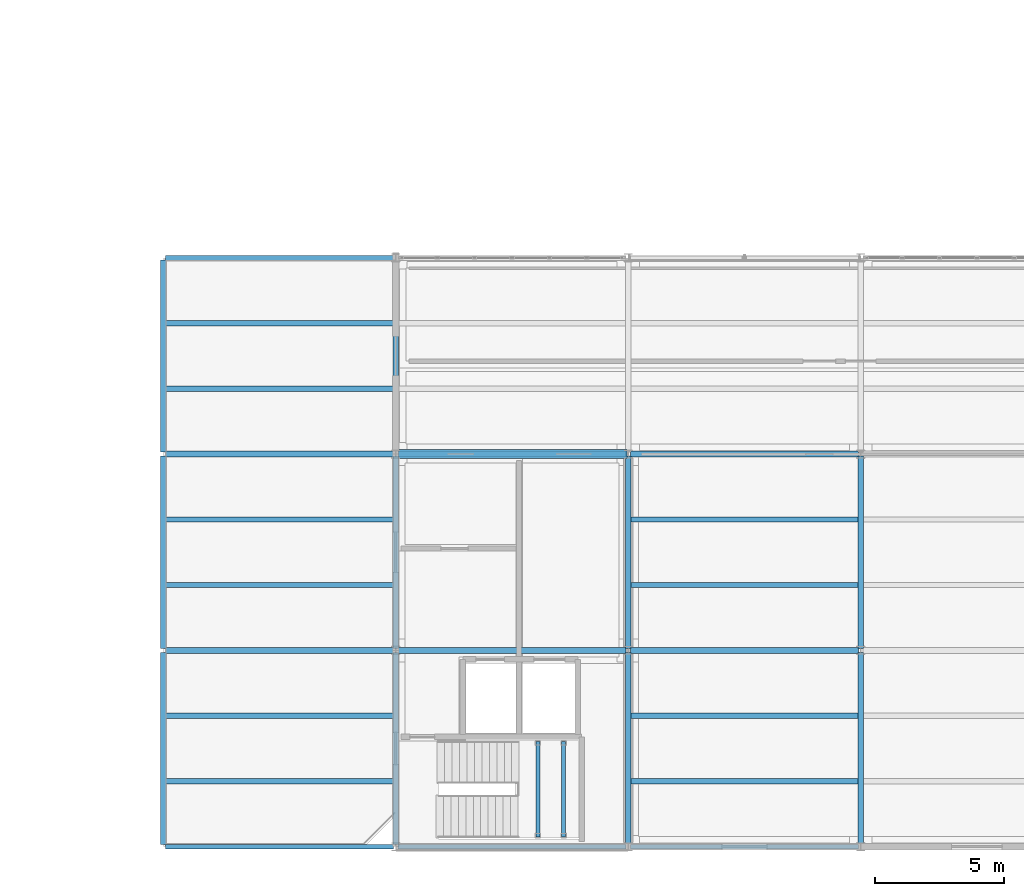
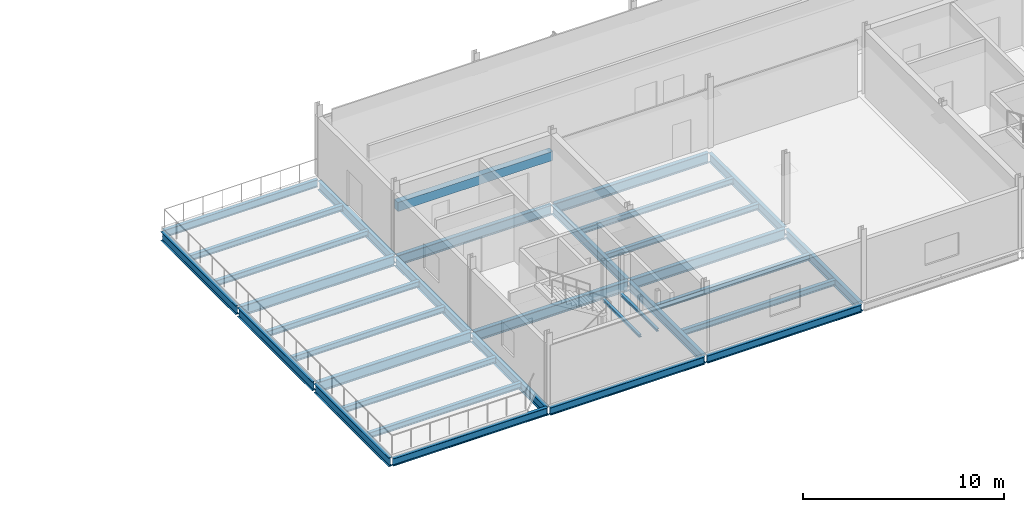
# One storey, part 6 of 48: 33 beams.
"""IFC4 building model written with IfcOpenShell, lengths in metres."""

from ifc_helpers import new_model, si_unit, direction, frame, origin, origin_2d, place, context, subcontext, project, spatial, rectangle, i_section, extrude, material, material_profile, profile_set, type_object, element, save


model = new_model("IFC4")

# Units and contexts
model_context = context("Model", 3, precision=1e-05, world=origin(), true_north=direction((0.0, 1.0)))
body_context = subcontext(model_context, "Body", "Model", "MODEL_VIEW")
ifc_project = project(units=[si_unit("LENGTHUNIT", "METRE"), si_unit("AREAUNIT", "SQUARE_METRE"), si_unit("VOLUMEUNIT", "CUBIC_METRE"), si_unit("PLANEANGLEUNIT", "RADIAN"), si_unit("MASSUNIT", "GRAM", prefix="KILO")], contexts=[model_context])

# Site, building, storey
site_placement = place(None, origin())
site = spatial("IfcSite", under=ifc_project, at=site_placement, CompositionType="ELEMENT")
building_placement = place(site_placement, origin())
building = spatial("IfcBuilding", under=site, at=building_placement, Name="Caisbarro Railhouse Central Library", CompositionType="ELEMENT")
storey_placement = place(building_placement, frame((0.0, 0.0, 18.0)))
storey = spatial("IfcBuildingStorey", under=building, at=storey_placement, Name="L04", CompositionType="ELEMENT", Elevation=18.0)

# Beams
ifc_material_1 = material(Name="Steel ASTM A572 Grade 50", Category="steel")
ifc_material_profile_1 = material_profile(ifc_material_1, i_section(OverallWidth=0.22998046875, OverallDepth=0.616943359375, WebThickness=0.01318359375, FlangeThickness=0.022216796875, FilletRadius=0.02197265625, at=origin_2d()), Name="W610X140.0")
ifc_profile_set_1 = profile_set([ifc_material_profile_1], Name="Steel ASTM A572 Grade 50")
beam_type_1 = type_object("IfcBeamType", Name="BM-G03", PredefinedType="BEAM", material=ifc_profile_set_1)
for number, where, z_axis, x_axis, name in (
    (1, (63.080078125, 7.60009765625, -0.58837890625), (1.0, 0.0, 0.0), (0.0, 1.0, 0.0), "G03 beam L04 #2020"),
    (2, (72.080078125, 7.60009765625, -0.58837890625), (1.0, 0.0, 0.0), (0.0, 1.0, 0.0), "G03 beam L04 #2021"),
    (3, (63.080078125, 15.199951171875, -0.58837890625), (1.0, 0.0, 0.0), (0.0, 1.0, 0.0), "G03 beam L04 #2025"),
    (4, (72.080078125, 15.199951171875, -0.58837890625), (1.0, 0.0, 0.0), (0.0, 1.0, 0.0), "G03 beam L04 #2026"),
    (5, (54.080078125, 7.60009765625, -0.5185546875), (1.0, 0.0, 0.0), (0.0, 1.0, 0.0), "G03 beam L04 #2162"),
    (6, (54.080078125, 15.199951171875, -0.5185546875), (1.0, 0.0, 0.0), (0.0, 1.0, 0.0), "G03 beam L04 #2163"),
):
    element("IfcBeam", number, at=place(storey_placement, frame(where, z_axis=z_axis, x_axis=x_axis)), inside=storey, type_object=beam_type_1, Name=name, PredefinedType="BEAM", context=body_context, shape_type="SweptSolid", body=[
        extrude(i_section(OverallWidth=0.22998046875, OverallDepth=0.616943359375, WebThickness=0.01318359375, FlangeThickness=0.022216796875, FilletRadius=0.02197265625, at=origin_2d()), origin(), (0.0, 0.0, 1.0), 8.83984375),
    ])
ifc_material_profile_2 = material_profile(ifc_material_1, i_section(OverallWidth=0.2119140625, OverallDepth=0.5439453125, WebThickness=0.01318359375, FlangeThickness=0.021240234375, FilletRadius=0.02001953125, at=origin_2d()), Name="W530X123.0")
ifc_profile_set_2 = profile_set([ifc_material_profile_2], Name="Steel ASTM A572 Grade 50")
beam_type_2 = type_object("IfcBeamType", Name="BM-G05", PredefinedType="BEAM", material=ifc_profile_set_2)
beam_1_placement = place(storey_placement, frame((63.0, 0.080078125, -0.552001953125), z_axis=(0.0, 1.0, 0.0), x_axis=(-1.0, 0.0, 0.0)))
element("IfcBeam", 7, at=beam_1_placement, inside=storey, type_object=beam_type_2, Name="G05 beam L04 #2035", PredefinedType="BEAM", context=body_context, shape_type="SweptSolid", body=[
    extrude(i_section(OverallWidth=0.2119140625, OverallDepth=0.5439453125, WebThickness=0.01318359375, FlangeThickness=0.021240234375, FilletRadius=0.02001953125, at=origin_2d()), origin(), (0.0, 0.0, 1.0), 7.43994140625),
])
beam_2_placement = place(storey_placement, frame((63.0, 7.679931640625, -0.552001953125), z_axis=(0.0, 1.0, 0.0), x_axis=(-1.0, 0.0, 0.0)))
element("IfcBeam", 8, at=beam_2_placement, inside=storey, type_object=beam_type_2, Name="G05 beam L04 #2036", PredefinedType="BEAM", context=body_context, shape_type="SweptSolid", body=[
    extrude(i_section(OverallWidth=0.2119140625, OverallDepth=0.5439453125, WebThickness=0.01318359375, FlangeThickness=0.021240234375, FilletRadius=0.02001953125, at=origin_2d()), origin(), (0.0, 0.0, 1.0), 7.440185546875),
])
for number, where, z_axis, x_axis, name in (
    (9, (63.0, 15.280029296875, -0.552001953125), (0.0, 1.0, 0.0), (-1.0, 0.0, 0.0), "G05 beam L04 #2037"),
    (10, (72.0, 0.080078125, -0.552001953125), (0.0, 1.0, 0.0), (-1.0, 0.0, 0.0), "G05 beam L04 #2038"),
):
    element("IfcBeam", number, at=place(storey_placement, frame(where, z_axis=z_axis, x_axis=x_axis)), inside=storey, type_object=beam_type_2, Name=name, PredefinedType="BEAM", context=body_context, shape_type="SweptSolid", body=[
        extrude(i_section(OverallWidth=0.2119140625, OverallDepth=0.5439453125, WebThickness=0.01318359375, FlangeThickness=0.021240234375, FilletRadius=0.02001953125, at=origin_2d()), origin(), (0.0, 0.0, 1.0), 7.43994140625),
    ])
beam_3_placement = place(storey_placement, frame((72.0, 7.679931640625, -0.552001953125), z_axis=(0.0, 1.0, 0.0), x_axis=(-1.0, 0.0, 0.0)))
element("IfcBeam", 11, at=beam_3_placement, inside=storey, type_object=beam_type_2, Name="G05 beam L04 #2039", PredefinedType="BEAM", context=body_context, shape_type="SweptSolid", body=[
    extrude(i_section(OverallWidth=0.2119140625, OverallDepth=0.5439453125, WebThickness=0.01318359375, FlangeThickness=0.021240234375, FilletRadius=0.02001953125, at=origin_2d()), origin(), (0.0, 0.0, 1.0), 7.440185546875),
])
beam_4_placement = place(storey_placement, frame((81.0, 0.080078125, -0.552001953125), z_axis=(0.0, 1.0, 0.0), x_axis=(-1.0, 0.0, 0.0)))
element("IfcBeam", 12, at=beam_4_placement, inside=storey, type_object=beam_type_2, Name="G05 beam L04 #2041", PredefinedType="BEAM", context=body_context, shape_type="SweptSolid", body=[
    extrude(i_section(OverallWidth=0.2119140625, OverallDepth=0.5439453125, WebThickness=0.01318359375, FlangeThickness=0.021240234375, FilletRadius=0.02001953125, at=origin_2d()), origin(), (0.0, 0.0, 1.0), 7.43994140625),
])
beam_5_placement = place(storey_placement, frame((81.0, 7.679931640625, -0.552001953125), z_axis=(0.0, 1.0, 0.0), x_axis=(-1.0, 0.0, 0.0)))
element("IfcBeam", 13, at=beam_5_placement, inside=storey, type_object=beam_type_2, Name="G05 beam L04 #2042", PredefinedType="BEAM", context=body_context, shape_type="SweptSolid", body=[
    extrude(i_section(OverallWidth=0.2119140625, OverallDepth=0.5439453125, WebThickness=0.01318359375, FlangeThickness=0.021240234375, FilletRadius=0.02001953125, at=origin_2d()), origin(), (0.0, 0.0, 1.0), 7.440185546875),
])
beam_6_placement = place(storey_placement, frame((54.0, 0.080078125, -0.48193359375), z_axis=(0.0, 1.0, 0.0), x_axis=(-1.0, 0.0, 0.0)))
element("IfcBeam", 14, at=beam_6_placement, inside=storey, type_object=beam_type_2, Name="G05 beam L04 #2165", PredefinedType="BEAM", context=body_context, shape_type="SweptSolid", body=[
    extrude(i_section(OverallWidth=0.2119140625, OverallDepth=0.5439453125, WebThickness=0.01318359375, FlangeThickness=0.021240234375, FilletRadius=0.02001953125, at=origin_2d()), origin(), (0.0, 0.0, 1.0), 7.43994140625),
])
beam_7_placement = place(storey_placement, frame((54.0, 7.679931640625, -0.48193359375), z_axis=(0.0, 1.0, 0.0), x_axis=(-1.0, 0.0, 0.0)))
element("IfcBeam", 15, at=beam_7_placement, inside=storey, type_object=beam_type_2, Name="G05 beam L04 #2166", PredefinedType="BEAM", context=body_context, shape_type="SweptSolid", body=[
    extrude(i_section(OverallWidth=0.2119140625, OverallDepth=0.5439453125, WebThickness=0.01318359375, FlangeThickness=0.021240234375, FilletRadius=0.02001953125, at=origin_2d()), origin(), (0.0, 0.0, 1.0), 7.440185546875),
])
beam_8_placement = place(storey_placement, frame((54.0, 15.280029296875, -0.48193359375), z_axis=(0.0, 1.0, 0.0), x_axis=(-1.0, 0.0, 0.0)))
element("IfcBeam", 16, at=beam_8_placement, inside=storey, type_object=beam_type_2, Name="G05 beam L04 #2167", PredefinedType="BEAM", context=body_context, shape_type="SweptSolid", body=[
    extrude(i_section(OverallWidth=0.2119140625, OverallDepth=0.5439453125, WebThickness=0.01318359375, FlangeThickness=0.021240234375, FilletRadius=0.02001953125, at=origin_2d()), origin(), (0.0, 0.0, 1.0), 7.43994140625),
])
ifc_material_profile_3 = material_profile(ifc_material_1, i_section(OverallWidth=0.202880859375, OverallDepth=0.346923828125, WebThickness=0.0078125, FlangeThickness=0.013427734375, FilletRadius=0.014892578125, at=origin_2d()), Name="W360X64.0")
ifc_profile_set_3 = profile_set([ifc_material_profile_3], Name="Steel ASTM A572 Grade 50")
beam_type_3 = type_object("IfcBeamType", Name="BM-J01", PredefinedType="JOIST", material=ifc_profile_set_3)
for number, where, z_axis, x_axis, name in (
    (17, (72.10595703125, 2.533203125, -0.45361328125), (1.0, 0.0, 0.0), (0.0, 1.0, 0.0), "J01 beam L04 #2055"),
    (18, (72.10595703125, 5.066650390625, -0.45361328125), (1.0, 0.0, 0.0), (0.0, 1.0, 0.0), "J01 beam L04 #2056"),
    (19, (72.10595703125, 10.13330078125, -0.45361328125), (1.0, 0.0, 0.0), (0.0, 1.0, 0.0), "J01 beam L04 #2057"),
    (20, (72.10595703125, 12.666748046875, -0.45361328125), (1.0, 0.0, 0.0), (0.0, 1.0, 0.0), "J01 beam L04 #2058"),
    (21, (54.10595703125, 2.533203125, -0.383544921875), (1.0, 0.0, 0.0), (0.0, 1.0, 0.0), "J01 beam L04 #2168"),
    (22, (54.10595703125, 5.066650390625, -0.383544921875), (1.0, 0.0, 0.0), (0.0, 1.0, 0.0), "J01 beam L04 #2169"),
    (23, (54.10595703125, 10.13330078125, -0.383544921875), (1.0, 0.0, 0.0), (0.0, 1.0, 0.0), "J01 beam L04 #2170"),
    (24, (54.10595703125, 12.666748046875, -0.383544921875), (1.0, 0.0, 0.0), (0.0, 1.0, 0.0), "J01 beam L04 #2171"),
    (25, (54.10595703125, 17.7333984375, -0.383544921875), (1.0, 0.0, 0.0), (0.0, 1.0, 0.0), "J01 beam L04 #2172"),
    (26, (54.10595703125, 20.2666015625, -0.383544921875), (1.0, 0.0, 0.0), (0.0, 1.0, 0.0), "J01 beam L04 #2173"),
):
    element("IfcBeam", number, at=place(storey_placement, frame(where, z_axis=z_axis, x_axis=x_axis)), inside=storey, type_object=beam_type_3, Name=name, PredefinedType="JOIST", context=body_context, shape_type="SweptSolid", body=[
        extrude(i_section(OverallWidth=0.202880859375, OverallDepth=0.346923828125, WebThickness=0.0078125, FlangeThickness=0.013427734375, FilletRadius=0.014892578125, at=origin_2d()), origin(), (0.0, 0.0, 1.0), 8.7880859375),
    ])
ifc_material_2 = material(Name="Concrete C40", Category="concrete")
ifc_material_profile_4 = material_profile(ifc_material_2, rectangle(XDim=0.35009765625, YDim=0.550048828125, at=origin_2d()), Name="RC-LIN-350X550")
ifc_profile_set_4 = profile_set([ifc_material_profile_4], Name="Concrete C40")
beam_type_4 = type_object("IfcBeamType", Name="BM-LN04", PredefinedType="LINTEL", material=ifc_profile_set_4)
beam_9_placement = place(storey_placement, frame((63.050048828125, 15.199951171875, 2.72509765625), z_axis=(1.0, 0.0, 0.0), x_axis=(0.0, 1.0, 0.0)))
element("IfcBeam", 27, at=beam_9_placement, inside=storey, type_object=beam_type_4, Name="LN04 RC core coupling lintel K1 L04", PredefinedType="LINTEL", context=body_context, shape_type="SweptSolid", body=[
    extrude(rectangle(XDim=0.35009765625, YDim=0.550048828125, at=origin_2d()), origin(), (0.0, 0.0, 1.0), 8.89990234375),
])
ifc_material_profile_5 = material_profile(ifc_material_1, i_section(OverallWidth=0.152099609375, OverallDepth=0.152099609375, WebThickness=0.005859375, FlangeThickness=0.006591796875, FilletRadius=0.008056640625, at=origin_2d()), Name="W150X22.5")
ifc_profile_set_5 = profile_set([ifc_material_profile_5], Name="Steel ASTM A572 Grade 50")
beam_type_5 = type_object("IfcBeamType", Name="BM-SL04", PredefinedType="BEAM", material=ifc_profile_set_5)
for number, where, z_axis, x_axis, name in (
    (28, (68.5, 0.3798828125, 1.89404296875), (0.0, 1.0, 0.0), (-1.0, 0.0, 0.0), "SL04 Stair Landing Support Beam K1 L04 W"),
    (29, (69.5, 0.3798828125, 1.89404296875), (0.0, 1.0, 0.0), (-1.0, 0.0, 0.0), "SL04 Stair Landing Support Beam K1 L04 E"),
):
    element("IfcBeam", number, at=place(storey_placement, frame(where, z_axis=z_axis, x_axis=x_axis)), inside=storey, type_object=beam_type_5, Name=name, PredefinedType="BEAM", context=body_context, shape_type="SweptSolid", body=[
        extrude(i_section(OverallWidth=0.152099609375, OverallDepth=0.152099609375, WebThickness=0.005859375, FlangeThickness=0.006591796875, FilletRadius=0.008056640625, at=origin_2d()), origin(), (0.0, 0.0, 1.0), 3.690185546875),
    ])
ifc_material_profile_6 = material_profile(ifc_material_1, i_section(OverallWidth=0.18994140625, OverallDepth=0.45703125, WebThickness=0.009033203125, FlangeThickness=0.014404296875, FilletRadius=0.01806640625, at=origin_2d()), Name="W460X74.0")
ifc_profile_set_6 = profile_set([ifc_material_profile_6], Name="Steel ASTM A572 Grade 50")
beam_type_6 = type_object("IfcBeamType", Name="BM-SP01", PredefinedType="SPANDREL", material=ifc_profile_set_6)
for number, where, z_axis, x_axis, name in (
    (30, (63.080078125, 0.0, -0.508544921875), (1.0, 0.0, 0.0), (0.0, 1.0, 0.0), "SP01 beam L04 #2015"),
    (31, (72.080078125, 0.0, -0.508544921875), (1.0, 0.0, 0.0), (0.0, 1.0, 0.0), "SP01 beam L04 #2016"),
    (32, (54.080078125, 0.0, -0.4384765625), (1.0, 0.0, 0.0), (0.0, 1.0, 0.0), "SP01 beam L04 #2161"),
    (33, (54.080078125, 22.800048828125, -0.4384765625), (1.0, 0.0, 0.0), (0.0, 1.0, 0.0), "SP01 beam L04 #2164"),
):
    element("IfcBeam", number, at=place(storey_placement, frame(where, z_axis=z_axis, x_axis=x_axis)), inside=storey, type_object=beam_type_6, Name=name, PredefinedType="SPANDREL", context=body_context, shape_type="SweptSolid", body=[
        extrude(i_section(OverallWidth=0.18994140625, OverallDepth=0.45703125, WebThickness=0.009033203125, FlangeThickness=0.014404296875, FilletRadius=0.01806640625, at=origin_2d()), origin(), (0.0, 0.0, 1.0), 8.83984375),
    ])

save(model, "model.ifc")
